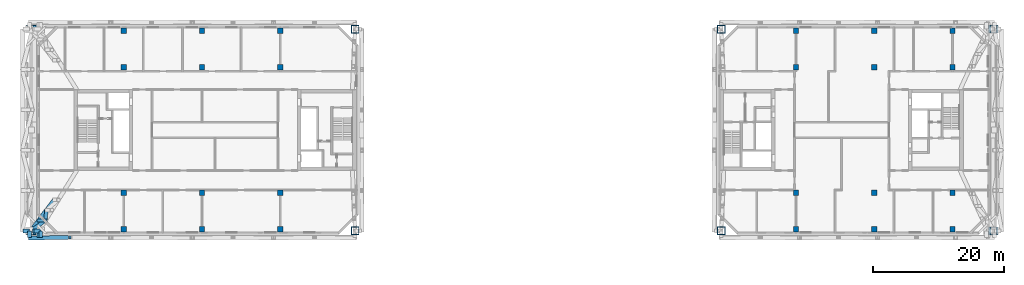
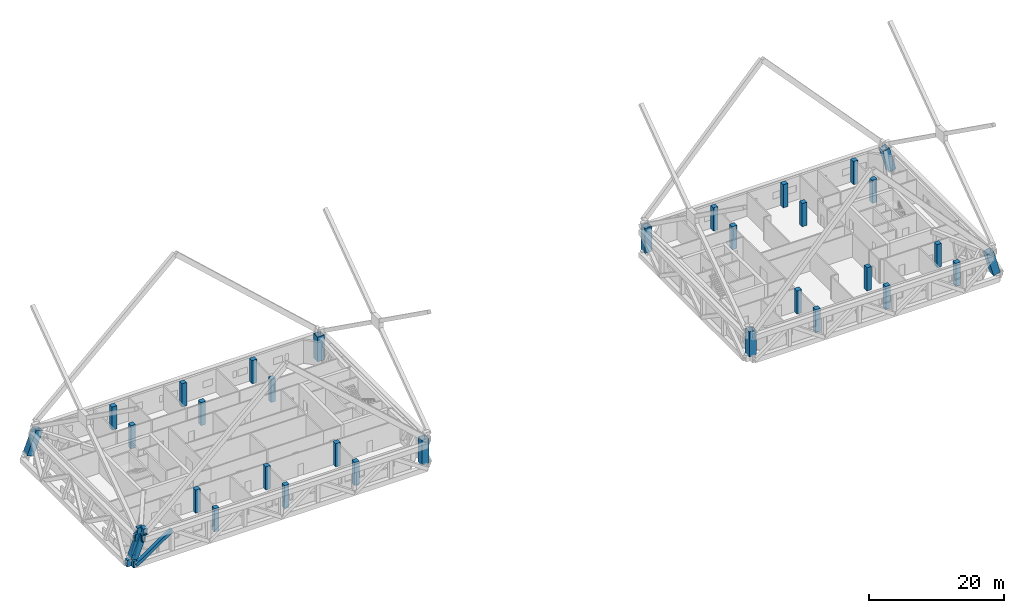
# One storey, part 1 of 22: 32 columns, 7 beams, 4 members.
"""IFC4 building model written with IfcOpenShell, lengths in metres."""

from ifc_helpers import new_model, si_unit, direction, frame, origin, origin_2d, place, context, subcontext, project, spatial, rectangle, hollow_rectangle, extrude, material, material_profile, profile_set, type_object, element, save


model = new_model("IFC4")

# Units and contexts
model_context = context("Model", 3, precision=1e-05, world=origin(), true_north=direction((0.0, 1.0)))
body_context = subcontext(model_context, "Body", "Model", "MODEL_VIEW")
ifc_project = project(units=[si_unit("LENGTHUNIT", "METRE"), si_unit("AREAUNIT", "SQUARE_METRE"), si_unit("VOLUMEUNIT", "CUBIC_METRE"), si_unit("PLANEANGLEUNIT", "RADIAN"), si_unit("MASSUNIT", "GRAM", prefix="KILO")], contexts=[model_context])

# Site, building, storey
site_placement = place(None, origin())
site = spatial("IfcSite", under=ifc_project, at=site_placement, CompositionType="ELEMENT")
building_placement = place(site_placement, origin())
building = spatial("IfcBuilding", under=site, at=building_placement, Name="Tuart Gate Housing", CompositionType="ELEMENT")
storey_placement = place(building_placement, frame((0.0, 0.0, 115.0)))
storey = spatial("IfcBuildingStorey", under=building, at=storey_placement, Name="L32", CompositionType="ELEMENT", Elevation=115.0)

# Columns
ifc_material_1 = material(Name="Steel Grade 350", Category="steel")
ifc_material_profile_1 = material_profile(ifc_material_1, hollow_rectangle(XDim=1.199951171875, YDim=1.199951171875, WallThickness=0.06494140625, at=origin_2d()), Name="BOX 1200x1200x65")
ifc_profile_set_1 = profile_set([ifc_material_profile_1], Name="Steel Grade 350")
column_type_1 = type_object("IfcColumnType", Name="Mega column BOX 1200x1200x65", PredefinedType="COLUMN", material=ifc_profile_set_1)
column_1_placement = place(storey_placement, frame((25.634521484375, 54.550048828125, 0.217529296875), z_axis=(0.362446261155, 0.0, 0.932004671541), x_axis=(0.0, 1.0, 0.0)))
element("IfcColumn", 1, at=column_1_placement, inside=storey, type_object=column_type_1, Name="Mega column A south-west L32", PredefinedType="COLUMN", context=body_context, shape_type="SweptSolid", body=[
    extrude(hollow_rectangle(XDim=1.199951171875, YDim=1.199951171875, WallThickness=0.06494140625, at=origin_2d()), origin(), (0.0, 0.0, 1.0), 4.361572265625),
])
for number, where, z_axis, x_axis, name in (
    (2, (75.449951171875, 54.550048828125, 0.0), (0.0, 0.0, 1.0), (1.0, 0.0, 0.0), "Mega column A south-east L32"),
    (3, (75.449951171875, 85.449951171875, 0.0), (0.0, 0.0, 1.0), (1.0, 0.0, 0.0), "Mega column A north-east L32"),
):
    element("IfcColumn", number, at=place(storey_placement, frame(where, z_axis=z_axis, x_axis=x_axis)), inside=storey, type_object=column_type_1, Name=name, PredefinedType="COLUMN", context=body_context, shape_type="SweptSolid", body=[
        extrude(hollow_rectangle(XDim=1.199951171875, YDim=1.199951171875, WallThickness=0.06494140625, at=origin_2d()), origin(), (0.0, 0.0, 1.0), 4.5),
    ])
column_2_placement = place(storey_placement, frame((25.634521484375, 85.449951171875, 0.217529296875), z_axis=(0.362446261155, 0.0, 0.932004671541), x_axis=(0.0, 1.0, 0.0)))
element("IfcColumn", 4, at=column_2_placement, inside=storey, type_object=column_type_1, Name="Mega column A north-west L32", PredefinedType="COLUMN", context=body_context, shape_type="SweptSolid", body=[
    extrude(hollow_rectangle(XDim=1.199951171875, YDim=1.199951171875, WallThickness=0.06494140625, at=origin_2d()), origin(), (0.0, 0.0, 1.0), 4.361572265625),
])
column_3_placement = place(storey_placement, frame((131.550048828125, 54.550048828125, 0.0), z_axis=(0.0, 0.0, 1.0), x_axis=(1.0, 0.0, 0.0)))
element("IfcColumn", 5, at=column_3_placement, inside=storey, type_object=column_type_1, Name="Mega column B south-west L32", PredefinedType="COLUMN", context=body_context, shape_type="SweptSolid", body=[
    extrude(hollow_rectangle(XDim=1.199951171875, YDim=1.199951171875, WallThickness=0.06494140625, at=origin_2d()), origin(), (0.0, 0.0, 1.0), 4.5),
])
for number, where, z_axis, x_axis, name in (
    (6, (173.405517578125, 54.550048828125, 0.16064453125), (-0.267672897269, 0.0, 0.963509844302), (0.0, -1.0, 0.0), "Mega column B south-east L32"),
    (7, (173.405517578125, 85.449951171875, 0.16064453125), (-0.267672897269, 0.0, 0.963509844302), (0.0, -1.0, 0.0), "Mega column B north-east L32"),
):
    element("IfcColumn", number, at=place(storey_placement, frame(where, z_axis=z_axis, x_axis=x_axis)), inside=storey, type_object=column_type_1, Name=name, PredefinedType="COLUMN", context=body_context, shape_type="SweptSolid", body=[
        extrude(hollow_rectangle(XDim=1.199951171875, YDim=1.199951171875, WallThickness=0.06494140625, at=origin_2d()), origin(), (0.0, 0.0, 1.0), 4.3369140625),
    ])
column_4_placement = place(storey_placement, frame((131.550048828125, 85.449951171875, 0.0), z_axis=(0.0, 0.0, 1.0), x_axis=(1.0, 0.0, 0.0)))
element("IfcColumn", 8, at=column_4_placement, inside=storey, type_object=column_type_1, Name="Mega column B north-west L32", PredefinedType="COLUMN", context=body_context, shape_type="SweptSolid", body=[
    extrude(hollow_rectangle(XDim=1.199951171875, YDim=1.199951171875, WallThickness=0.06494140625, at=origin_2d()), origin(), (0.0, 0.0, 1.0), 4.5),
])
ifc_material_2 = material(Name="Concrete C50", Category="concrete")
ifc_material_profile_2 = material_profile(ifc_material_2, rectangle(XDim=0.800048828125, YDim=0.800048828125, at=origin_2d()), Name="RC column 800 x 800 (4.2-4.2 m)")
ifc_profile_set_2 = profile_set([ifc_material_profile_2], Name="Concrete C50")
column_type_2 = type_object("IfcColumnType", Name="RC column 800 x 800 (4.2-4.2 m)", PredefinedType="COLUMN", material=ifc_profile_set_2)
for number, where, z_axis, x_axis, name in (
    (9, (40.0, 54.800048828125, 0.0), (0.0, 0.0, 1.0), (1.0, 0.0, 0.0), "RC column 9 L32"),
    (10, (40.0, 60.39990234375, 0.0), (0.0, 0.0, 1.0), (1.0, 0.0, 0.0), "RC column 12 L32"),
    (11, (40.0, 79.60009765625, 0.0), (0.0, 0.0, 1.0), (1.0, 0.0, 0.0), "RC column 13 L32"),
    (12, (40.0, 85.199951171875, 0.0), (0.0, 0.0, 1.0), (1.0, 0.0, 0.0), "RC column 16 L32"),
    (13, (52.0, 54.800048828125, 0.0), (0.0, 0.0, 1.0), (1.0, 0.0, 0.0), "RC column 17 L32"),
    (14, (52.0, 60.39990234375, 0.0), (0.0, 0.0, 1.0), (1.0, 0.0, 0.0), "RC column 18 L32"),
    (15, (52.0, 79.60009765625, 0.0), (0.0, 0.0, 1.0), (1.0, 0.0, 0.0), "RC column 19 L32"),
    (16, (52.0, 85.199951171875, 0.0), (0.0, 0.0, 1.0), (1.0, 0.0, 0.0), "RC column 20 L32"),
    (17, (64.0, 54.800048828125, 0.0), (0.0, 0.0, 1.0), (1.0, 0.0, 0.0), "RC column 21 L32"),
    (18, (64.0, 60.39990234375, 0.0), (0.0, 0.0, 1.0), (1.0, 0.0, 0.0), "RC column 22 L32"),
    (19, (64.0, 79.60009765625, 0.0), (0.0, 0.0, 1.0), (1.0, 0.0, 0.0), "RC column 23 L32"),
    (20, (64.0, 85.199951171875, 0.0), (0.0, 0.0, 1.0), (1.0, 0.0, 0.0), "RC column 24 L32"),
    (21, (143.0, 54.800048828125, 0.0), (0.0, 0.0, 1.0), (1.0, 0.0, 0.0), "RC column 25 L32"),
    (22, (143.0, 60.39990234375, 0.0), (0.0, 0.0, 1.0), (1.0, 0.0, 0.0), "RC column 26 L32"),
    (23, (143.0, 79.60009765625, 0.0), (0.0, 0.0, 1.0), (1.0, 0.0, 0.0), "RC column 27 L32"),
    (24, (143.0, 85.199951171875, 0.0), (0.0, 0.0, 1.0), (1.0, 0.0, 0.0), "RC column 28 L32"),
    (25, (155.0, 54.800048828125, 0.0), (0.0, 0.0, 1.0), (1.0, 0.0, 0.0), "RC column 29 L32"),
    (26, (155.0, 60.39990234375, 0.0), (0.0, 0.0, 1.0), (1.0, 0.0, 0.0), "RC column 30 L32"),
    (27, (155.0, 79.60009765625, 0.0), (0.0, 0.0, 1.0), (1.0, 0.0, 0.0), "RC column 31 L32"),
    (28, (155.0, 85.199951171875, 0.0), (0.0, 0.0, 1.0), (1.0, 0.0, 0.0), "RC column 32 L32"),
    (29, (167.0, 54.800048828125, 0.0), (0.0, 0.0, 1.0), (1.0, 0.0, 0.0), "RC column 33 L32"),
    (30, (167.0, 60.39990234375, 0.0), (0.0, 0.0, 1.0), (1.0, 0.0, 0.0), "RC column 36 L32"),
    (31, (167.0, 79.60009765625, 0.0), (0.0, 0.0, 1.0), (1.0, 0.0, 0.0), "RC column 37 L32"),
    (32, (167.0, 85.199951171875, 0.0), (0.0, 0.0, 1.0), (1.0, 0.0, 0.0), "RC column 40 L32"),
):
    element("IfcColumn", number, at=place(storey_placement, frame(where, z_axis=z_axis, x_axis=x_axis)), inside=storey, type_object=column_type_2, Name=name, PredefinedType="COLUMN", context=body_context, shape_type="SweptSolid", body=[
        extrude(rectangle(XDim=0.800048828125, YDim=0.800048828125, at=origin_2d()), origin(), (0.0, 0.0, 1.0), 4.199951171875),
    ])

# Member
ifc_material_3 = material(Name="Steel Grade 350", Category="steel")
ifc_material_profile_3 = material_profile(ifc_material_3, hollow_rectangle(XDim=0.60009765625, YDim=0.60009765625, WallThickness=0.031982421875, at=origin_2d()), Name="BOX 600x600x32")
ifc_profile_set_3 = profile_set([ifc_material_profile_3], Name="Steel Grade 350")
member_type_1 = type_object("IfcMemberType", Name="Belt truss diagonal BOX 600x600x32", PredefinedType="BRACE", material=ifc_profile_set_3)
member_1_placement = place(storey_placement, frame((25.550048828125, 53.449951171875, -0.39990234375), z_axis=(0.832497021316, 0.013359574885, 0.553868424139), x_axis=(-0.016045528886, 0.999871262215, 0.0)))
element("IfcMember", 33, at=member_1_placement, inside=storey, type_object=member_type_1, Name="Belt truss diagonal A south 0 L32", PredefinedType="BRACE", context=body_context, shape_type="SweptSolid", body=[
    extrude(hollow_rectangle(XDim=0.60009765625, YDim=0.60009765625, WallThickness=0.031982421875, at=origin_2d()), origin(), (0.0, 0.0, 1.0), 7.49267578125),
])

# Beams
ifc_material_4 = material(Name="Steel Grade 350", Category="steel")
ifc_material_profile_4 = material_profile(ifc_material_4, hollow_rectangle(XDim=0.60009765625, YDim=1.199951171875, WallThickness=0.0400390625, at=origin_2d()), Name="BOX 1200x600x40")
ifc_profile_set_4 = profile_set([ifc_material_profile_4], Name="Steel Grade 350")
beam_type_1 = type_object("IfcBeamType", Name="Brace shoe BOX 1200x600x40", PredefinedType="BEAM", material=ifc_profile_set_4)
for number, where, z_axis, x_axis, name in (
    (34, (25.550048828125, 54.550048828125, -0.39990234375), (0.0, -1.0, 0.0), (1.0, 0.0, 0.0), "Mega tie beam A node 4 south shoe 0 L32"),
    (35, (25.550048828125, 54.550048828125, -0.39990234375), (-1.0, 0.0, 0.0), (0.0, -1.0, 0.0), "Mega tie beam A node 4 west shoe 0 L32"),
    (36, (27.300048828125, 54.550048828125, 4.820068359375), (0.0, -1.0, 0.0), (1.0, 0.0, 0.0), "Mega brace shoe A zone 5 south chevron 1"),
    (37, (27.300048828125, 54.550048828125, 4.820068359375), (-1.0, 0.0, 0.0), (0.0, -1.0, 0.0), "Mega brace shoe A zone 5 west cross 1"),
    (38, (27.00830078125, 54.550048828125, 3.75), (0.0, -1.0, 0.0), (1.0, 0.0, 0.0), "Belt truss top chord A south shoe 0 L32"),
    (39, (27.00830078125, 54.550048828125, 3.75), (-1.0, 0.0, 0.0), (0.0, -1.0, 0.0), "Belt truss top chord A west shoe 0 L32"),
):
    element("IfcBeam", number, at=place(storey_placement, frame(where, z_axis=z_axis, x_axis=x_axis)), inside=storey, type_object=beam_type_1, Name=name, PredefinedType="BEAM", context=body_context, shape_type="SweptSolid", body=[
        extrude(hollow_rectangle(XDim=0.60009765625, YDim=1.199951171875, WallThickness=0.0400390625, at=origin_2d()), origin(), (0.0, 0.0, 1.0), 1.0),
    ])
ifc_material_5 = material(Name="Steel Grade 350", Category="steel")
ifc_material_profile_5 = material_profile(ifc_material_5, hollow_rectangle(XDim=0.60009765625, YDim=0.800048828125, WallThickness=0.0400390625, at=origin_2d()), Name="BOX 800x600x40")
ifc_profile_set_5 = profile_set([ifc_material_profile_5], Name="Steel Grade 350")
beam_type_2 = type_object("IfcBeamType", Name="Outrigger chord BOX 800x600x40", PredefinedType="BEAM", material=ifc_profile_set_5)
beam_placement = place(storey_placement, frame((29.362060546875, 59.300048828125, 0.550048828125), z_axis=(-0.603821402054, -0.797119636204, 0.0), x_axis=(0.797119636204, -0.603821402054, 0.0)))
element("IfcBeam", 40, at=beam_placement, inside=storey, type_object=beam_type_2, Name="Outrigger bottom chord AK south 0 L32", PredefinedType="BEAM", context=body_context, shape_type="SweptSolid", body=[
    extrude(hollow_rectangle(XDim=0.60009765625, YDim=0.800048828125, WallThickness=0.0400390625, at=origin_2d()), origin(), (0.0, 0.0, 1.0), 5.958984375),
])

# Members
ifc_material_6 = material(Name="Steel Grade 350", Category="steel")
ifc_material_profile_6 = material_profile(ifc_material_6, hollow_rectangle(XDim=0.5400390625, YDim=0.5400390625, WallThickness=0.030029296875, at=origin_2d()), Name="BOX 540x540x30")
ifc_profile_set_6 = profile_set([ifc_material_profile_6], Name="Steel Grade 350")
member_type_2 = type_object("IfcMemberType", Name="Outrigger diagonal BOX 540x540x30", PredefinedType="BRACE", material=ifc_profile_set_6)
member_2_placement = place(storey_placement, frame((28.16259765625, 57.716796875, 0.550048828125), z_axis=(-0.040350625131, -0.437649087964, 0.898240002926), x_axis=(0.99577661768, -0.091809191701, 0.0)))
element("IfcMember", 41, at=member_2_placement, inside=storey, type_object=member_type_2, Name="Outrigger diagonal AK south 4 L32", PredefinedType="BRACE", context=body_context, shape_type="SweptSolid", body=[
    extrude(hollow_rectangle(XDim=0.5400390625, YDim=0.5400390625, WallThickness=0.030029296875, at=origin_2d()), origin(), (0.0, 0.0, 1.0), 3.6181640625),
])
member_3_placement = place(storey_placement, frame((28.0166015625, 56.13330078125, 3.800048828125), z_axis=(-0.528855103797, -0.371694521309, -0.7629911284), x_axis=(0.575014498242, -0.81814321901, 0.0)))
element("IfcMember", 42, at=member_3_placement, inside=storey, type_object=member_type_2, Name="Outrigger diagonal AK south 5 L32", PredefinedType="BRACE", context=body_context, shape_type="SweptSolid", body=[
    extrude(hollow_rectangle(XDim=0.5400390625, YDim=0.5400390625, WallThickness=0.030029296875, at=origin_2d()), origin(), (0.0, 0.0, 1.0), 4.259521484375),
])
ifc_material_7 = material(Name="Steel Grade 350", Category="steel")
ifc_material_profile_7 = material_profile(ifc_material_7, hollow_rectangle(XDim=0.52001953125, YDim=0.52001953125, WallThickness=0.028076171875, at=origin_2d()), Name="BOX 520x520x28")
ifc_profile_set_7 = profile_set([ifc_material_profile_7], Name="Steel Grade 350")
member_type_3 = type_object("IfcMemberType", Name="Outrigger post BOX 520x520x28", PredefinedType="POST", material=ifc_profile_set_7)
member_4_placement = place(storey_placement, frame((26.963134765625, 56.13330078125, 0.550048828125), z_axis=(0.308349163697, 0.0, 0.951273248466), x_axis=(0.0, 1.0, 0.0)))
element("IfcMember", 43, at=member_4_placement, inside=storey, type_object=member_type_3, Name="Outrigger post AK south 5 L32", PredefinedType="POST", context=body_context, shape_type="SweptSolid", body=[
    extrude(hollow_rectangle(XDim=0.52001953125, YDim=0.52001953125, WallThickness=0.028076171875, at=origin_2d()), origin(), (0.0, 0.0, 1.0), 3.41650390625),
])

save(model, "model.ifc")
